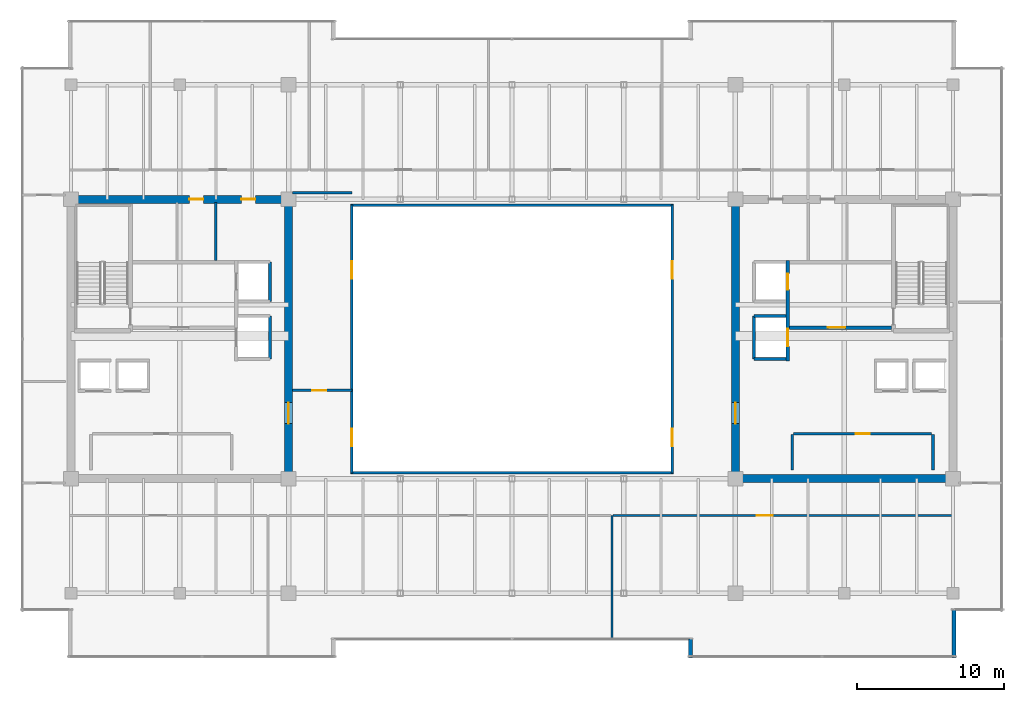
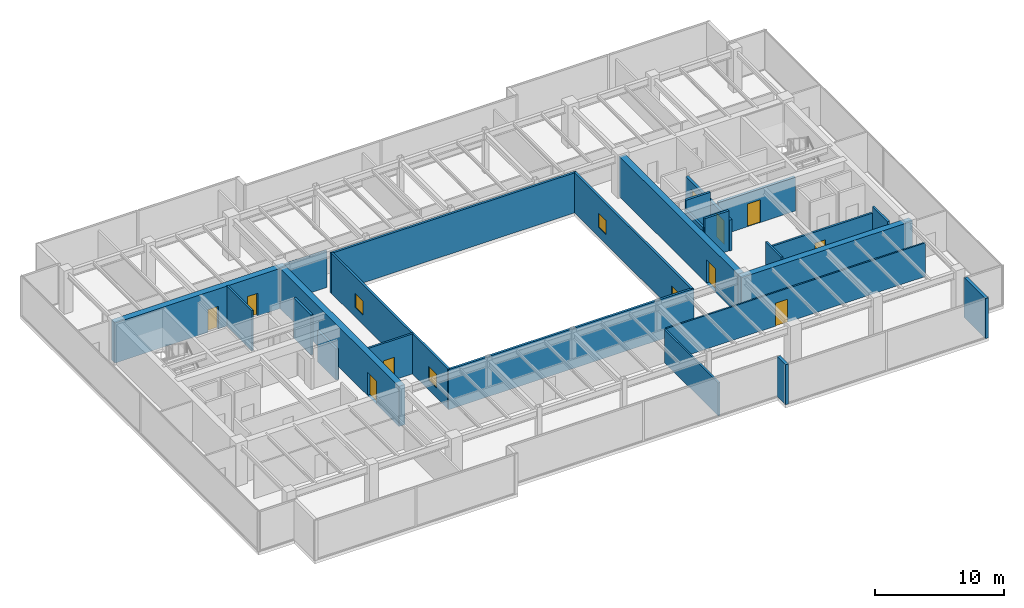
# One storey, part 29 of 33: 25 walls, 10 doors, 4 windows, 14 openings.
"""IFC4 building model written with IfcOpenShell, lengths in metres."""

from ifc_helpers import new_model, si_unit, direction, frame, frame_2d, origin, place, context, subcontext, project, spatial, rectangle, extrude, source, transform, mapped, material, layer, layer_set, type_object, type_shapes, element, fill, save


model = new_model("IFC4")

# Units and contexts
model_context = context("Model", 3, precision=1e-05, world=origin(), true_north=direction((0.0, 1.0)))
body_context = subcontext(model_context, "Body", "Model", "MODEL_VIEW")
ifc_project = project(units=[si_unit("LENGTHUNIT", "METRE"), si_unit("AREAUNIT", "SQUARE_METRE"), si_unit("VOLUMEUNIT", "CUBIC_METRE"), si_unit("PLANEANGLEUNIT", "RADIAN"), si_unit("MASSUNIT", "GRAM", prefix="KILO")], contexts=[model_context])

# Site, building, storey
site_placement = place(None, origin())
site = spatial("IfcSite", under=ifc_project, at=site_placement, CompositionType="ELEMENT")
building_placement = place(site_placement, origin())
building = spatial("IfcBuilding", under=site, at=building_placement, Name="Haelvirn Gate Laboratories", CompositionType="ELEMENT")
storey_placement = place(building_placement, frame((0.0, 0.0, 230.10009765625)))
storey = spatial("IfcBuildingStorey", under=building, at=storey_placement, Name="L55", CompositionType="ELEMENT", Elevation=230.10009765625)

# Walls
ifc_material_1 = material(Name="Thermally-broken bronze aluminium rainscreen & mineral wool", Category="aluminium")
ifc_layer_1 = layer(ifc_material_1, 0.280029296875, Name="EW-TERR-280")
ifc_layer_set_1 = layer_set([ifc_layer_1], Name="Thermally-broken bronze aluminium rainscreen & mineral wool")
wall_type_1 = type_object("IfcWallType", Name="EW-TERR-280", PredefinedType="STANDARD", material=ifc_layer_set_1)
wall_1_placement = place(storey_placement, frame((49.5400390625, 3.89306640625, 0.0), z_axis=(0.0, 0.0, 1.0), x_axis=(0.0, -1.0, 0.0)))
element("IfcWall", 1, at=wall_1_placement, inside=storey, type_object=wall_type_1, Name="L55 Atrium Recess Bronze Return Wall 03", PredefinedType="STANDARD", context=body_context, shape_type="SweptSolid", body=[
    extrude(rectangle(XDim=1.29296875, YDim=0.280029296875, at=frame_2d((0.646484375, 0.0))), origin(), (0.0, 0.0, 1.0), 3.7998046875),
])
wall_2_placement = place(storey_placement, frame((67.4599609375, 2.60009765625, 0.0), z_axis=(0.0, 0.0, 1.0), x_axis=(0.0, 1.0, 0.0)))
element("IfcWall", 2, at=wall_2_placement, inside=storey, type_object=wall_type_1, Name="L55 Atrium Recess Bronze Return Wall 05", PredefinedType="STANDARD", context=body_context, shape_type="SweptSolid", body=[
    extrude(rectangle(XDim=3.287841796875, YDim=0.280029296875, at=frame_2d((1.64404296875, 0.0))), origin(), (0.0, 0.0, 1.0), 3.7998046875),
])
ifc_material_2 = material(Name="Double-layer acoustic gypsum laboratory partition", Category="gypsum")
ifc_layer_2 = layer(ifc_material_2, 0.159912109375, Name="IW-ACOUST-160")
ifc_layer_set_2 = layer_set([ifc_layer_2], Name="Double-layer acoustic gypsum laboratory partition")
wall_type_2 = type_object("IfcWallType", Name="IW-ACOUST-160", PredefinedType="PARTITIONING", material=ifc_layer_set_2)
wall_3_placement = place(storey_placement, frame((44.199951171875, 3.909912109375, 0.0), z_axis=(0.0, 0.0, 1.0), x_axis=(0.0, 1.0, 0.0)))
element("IfcWall", 3, at=wall_3_placement, inside=storey, type_object=wall_type_2, Name="L55 Interior Wall IW-L55-SDIV-02", PredefinedType="PARTITIONING", context=body_context, shape_type="SweptSolid", body=[
    extrude(rectangle(XDim=8.380126953125, YDim=0.159912109375, at=frame_2d((4.18994140625, 0.0))), origin(), (0.0, 0.0, 1.0), 3.135009765625),
])
ifc_material_3 = material(Name="Fire-rated acoustic gypsum board partition", Category="gypsum")
ifc_layer_3 = layer(ifc_material_3, 0.175048828125, Name="IW-ACOUST-180")
ifc_layer_set_3 = layer_set([ifc_layer_3], Name="Fire-rated acoustic gypsum board partition")
wall_type_3 = type_object("IfcWallType", Name="IW-ACOUST-180", PredefinedType="PARTITIONING", material=ifc_layer_set_3)
wall_4_placement = place(storey_placement, frame((22.47509765625, 34.260009765625, 0.0), z_axis=(0.0, 0.0, 1.0), x_axis=(1.0, 0.0, 0.0)))
element("IfcWall", 4, at=wall_4_placement, inside=storey, type_object=wall_type_3, Name="L55 Interior Wall IW-L55-WPOD-N", PredefinedType="PARTITIONING", context=body_context, shape_type="SweptSolid", body=[
    extrude(rectangle(XDim=4.02490234375, YDim=0.175048828125, at=frame_2d((2.012451171875, 0.0))), origin(), (0.0, 0.0, 1.0), 3.48486328125),
])

# Wall, opening, door
wall_5_placement = place(storey_placement, frame((22.47509765625, 20.800048828125, 0.0), z_axis=(0.0, 0.0, 1.0), x_axis=(1.0, 0.0, 0.0)))
wall_5 = element("IfcWall", 5, at=wall_5_placement, inside=storey, type_object=wall_type_3, Name="L55 Interior Wall IW-L55-WPOD-S", PredefinedType="PARTITIONING", context=body_context, shape_type="SweptSolid", body=[
    extrude(rectangle(XDim=4.02490234375, YDim=0.175048828125, at=frame_2d((2.012451171875, 0.0))), origin(), (0.0, 0.0, 1.0), 3.7998046875),
])
opening_1_placement = place(wall_5_placement, frame((1.35009765625, 0.0, 0.0)))
opening_1 = element("IfcOpeningElement", 6, at=opening_1_placement, cuts=wall_5, Name="Opening FD4", PredefinedType="OPENING", context=body_context, shape_type="SweptSolid", body=[
    extrude(rectangle(XDim=0.949951171875, YDim=2.14990234375, at=frame_2d((0.47509765625, 1.074951171875))), frame((0.0, 0.09765625, 0.0), z_axis=(0.0, -1.0, 0.0), x_axis=(1.0, 0.0, 0.0)), (0.0, 0.0, 1.0), 0.195068359375),
])
ifc_material_4 = material(Name="Fire-rated steel SM355 core service door", Category="steel")
door_type_1 = type_object("IfcDoorType", Name="DR-FD-950", OperationType="NOTDEFINED", PredefinedType="DOOR", material=ifc_material_4)
shared_shape_1 = source(origin(), body_context, "Body", "SweptSolid", [
    extrude(rectangle(XDim=0.949951171875, YDim=2.14990234375, at=frame_2d((0.47509765625, 1.074951171875))), frame((0.0, 0.02490234375, 0.0), z_axis=(0.0, -1.0, 0.0), x_axis=(1.0, 0.0, 0.0)), (0.0, 0.0, 1.0), 0.050048828125),
])
type_shapes(door_type_1, [shared_shape_1])
door_1_placement = place(opening_1_placement, origin())
door_1 = element("IfcDoor", 7, at=door_1_placement, inside=storey, type_object=door_type_1, Name="L55 High-Zone Computational Suite Door", OperationType="SINGLE_SWING_RIGHT", OverallHeight=2.14990234375, OverallWidth=0.949951171875, PredefinedType="DOOR", context=body_context, shape_type="MappedRepresentation", body=[
    mapped(shared_shape_1, transform((0.0, 0.0, 0.0), scale=1.0)),
])
fill(opening_1, door_1)

# Wall, openings, windows
ifc_material_5 = material(Name="Tempered fire-rated borosilicate glass & anodised aluminium", Category="aluminium")
ifc_layer_4 = layer(ifc_material_5, 0.195068359375, Name="IW-GLAZ-200")
ifc_layer_set_4 = layer_set([ifc_layer_4], Name="Tempered fire-rated borosilicate glass & anodised aluminium")
wall_type_4 = type_object("IfcWallType", Name="IW-GLAZ-200", PredefinedType="SOLIDWALL", material=ifc_layer_set_4)
wall_6_placement = place(storey_placement, frame((26.5, 15.199951171875, 0.0), z_axis=(0.0, 0.0, 1.0), x_axis=(0.0, 1.0, 0.0)))
wall_6 = element("IfcWall", 8, at=wall_6_placement, inside=storey, type_object=wall_type_4, Name="L55 Interior Wall IW-L55-ATRIUM-W", PredefinedType="SOLIDWALL", context=body_context, shape_type="SweptSolid", body=[
    extrude(rectangle(XDim=18.199951171875, YDim=0.195068359375, at=frame_2d((9.10009765625, 0.0))), origin(), (0.0, 0.0, 1.0), 3.7998046875),
])
opening_2_placement = place(wall_6_placement, frame((1.800048828125, 0.0, 0.89990234375)))
opening_2 = element("IfcOpeningElement", 9, at=opening_2_placement, cuts=wall_6, Name="Opening W6", PredefinedType="OPENING", context=body_context, shape_type="SweptSolid", body=[
    extrude(rectangle(XDim=1.199951171875, YDim=1.35009765625, at=frame_2d((0.60009765625, 0.675048828125))), frame((0.0, 0.107421875, 0.0), z_axis=(0.0, -1.0, 0.0), x_axis=(1.0, 0.0, 0.0)), (0.0, 0.0, 1.0), 0.215087890625),
])
opening_3_placement = place(wall_6_placement, frame((13.199951171875, 0.0, 0.89990234375)))
opening_3 = element("IfcOpeningElement", 10, at=opening_3_placement, cuts=wall_6, Name="Opening W6", PredefinedType="OPENING", context=body_context, shape_type="SweptSolid", body=[
    extrude(rectangle(XDim=1.199951171875, YDim=1.35009765625, at=frame_2d((0.60009765625, 0.675048828125))), frame((0.0, 0.107421875, 0.0), z_axis=(0.0, -1.0, 0.0), x_axis=(1.0, 0.0, 0.0)), (0.0, 0.0, 1.0), 0.215087890625),
])
ifc_material_6 = material(Name="Fire-rated EI 120 borosilicate atrium vision glazing", Category="glass")
window_type = type_object("IfcWindowType", Name="WN-ATR-1200", PartitioningType="SINGLE_PANEL", PredefinedType="WINDOW", material=ifc_material_6)
shared_shape_2 = source(origin(), body_context, "Body", "SweptSolid", [
    extrude(rectangle(XDim=1.199951171875, YDim=1.35009765625, at=frame_2d((0.60009765625, 0.675048828125))), frame((0.0, 0.030029296875, 0.0), z_axis=(0.0, -1.0, 0.0), x_axis=(1.0, 0.0, 0.0)), (0.0, 0.0, 1.0), 0.06005859375),
])
type_shapes(window_type, [shared_shape_2])
window_1_placement = place(opening_2_placement, origin())
window_1 = element("IfcWindow", 11, at=window_1_placement, inside=storey, type_object=window_type, Name="L55 Atrium Observation Window 1", OverallHeight=1.35009765625, OverallWidth=1.199951171875, PartitioningType="SINGLE_PANEL", PredefinedType="WINDOW", context=body_context, shape_type="MappedRepresentation", body=[
    mapped(shared_shape_2, transform((0.0, 0.0, 0.0), scale=1.0)),
])
fill(opening_2, window_1)
window_2_placement = place(opening_3_placement, origin())
window_2 = element("IfcWindow", 12, at=window_2_placement, inside=storey, type_object=window_type, Name="L55 Atrium Observation Window 2", OverallHeight=1.35009765625, OverallWidth=1.199951171875, PartitioningType="SINGLE_PANEL", PredefinedType="WINDOW", context=body_context, shape_type="MappedRepresentation", body=[
    mapped(shared_shape_2, transform((0.0, 0.0, 0.0), scale=1.0)),
])
fill(opening_3, window_2)

wall_7_placement = place(storey_placement, frame((48.300048828125, 15.199951171875, 0.0), z_axis=(0.0, 0.0, 1.0), x_axis=(0.0, 1.0, 0.0)))
wall_7 = element("IfcWall", 13, at=wall_7_placement, inside=storey, type_object=wall_type_4, Name="L55 Interior Wall IW-L55-ATRIUM-E", PredefinedType="SOLIDWALL", context=body_context, shape_type="SweptSolid", body=[
    extrude(rectangle(XDim=18.199951171875, YDim=0.195068359375, at=frame_2d((9.10009765625, 0.0))), origin(), (0.0, 0.0, 1.0), 3.7998046875),
])
opening_4_placement = place(wall_7_placement, frame((1.800048828125, 0.0, 0.89990234375)))
opening_4 = element("IfcOpeningElement", 14, at=opening_4_placement, cuts=wall_7, Name="Opening W6", PredefinedType="OPENING", context=body_context, shape_type="SweptSolid", body=[
    extrude(rectangle(XDim=1.199951171875, YDim=1.35009765625, at=frame_2d((0.60009765625, 0.675048828125))), frame((0.0, 0.107421875, 0.0), z_axis=(0.0, -1.0, 0.0), x_axis=(1.0, 0.0, 0.0)), (0.0, 0.0, 1.0), 0.215087890625),
])
opening_5_placement = place(wall_7_placement, frame((13.199951171875, 0.0, 0.89990234375)))
opening_5 = element("IfcOpeningElement", 15, at=opening_5_placement, cuts=wall_7, Name="Opening W6", PredefinedType="OPENING", context=body_context, shape_type="SweptSolid", body=[
    extrude(rectangle(XDim=1.199951171875, YDim=1.35009765625, at=frame_2d((0.60009765625, 0.675048828125))), frame((0.0, 0.107421875, 0.0), z_axis=(0.0, -1.0, 0.0), x_axis=(1.0, 0.0, 0.0)), (0.0, 0.0, 1.0), 0.215087890625),
])
window_3_placement = place(opening_4_placement, origin())
window_3 = element("IfcWindow", 16, at=window_3_placement, inside=storey, type_object=window_type, Name="L55 Atrium Observation Window 1", OverallHeight=1.35009765625, OverallWidth=1.199951171875, PartitioningType="SINGLE_PANEL", PredefinedType="WINDOW", context=body_context, shape_type="MappedRepresentation", body=[
    mapped(shared_shape_2, transform((0.0, 0.0, 0.0), scale=1.0)),
])
fill(opening_4, window_3)
window_4_placement = place(opening_5_placement, origin())
window_4 = element("IfcWindow", 17, at=window_4_placement, inside=storey, type_object=window_type, Name="L55 Atrium Observation Window 2", OverallHeight=1.35009765625, OverallWidth=1.199951171875, PartitioningType="SINGLE_PANEL", PredefinedType="WINDOW", context=body_context, shape_type="MappedRepresentation", body=[
    mapped(shared_shape_2, transform((0.0, 0.0, 0.0), scale=1.0)),
])
fill(opening_5, window_4)

# Walls
for number, where, z_axis, x_axis, name in (
    (18, (26.39990234375, 15.199951171875, 0.0), (0.0, 0.0, 1.0), (1.0, 0.0, 0.0), "L55 Interior Wall IW-L55-ATRIUM-S"),
    (19, (26.39990234375, 33.39990234375, 0.0), (0.0, 0.0, 1.0), (1.0, 0.0, 0.0), "L55 Interior Wall IW-L55-ATRIUM-N"),
):
    element("IfcWall", number, at=place(storey_placement, frame(where, z_axis=z_axis, x_axis=x_axis)), inside=storey, type_object=wall_type_4, Name=name, PredefinedType="SOLIDWALL", context=body_context, shape_type="SweptSolid", body=[
        extrude(rectangle(XDim=22.0, YDim=0.195068359375, at=frame_2d((11.0, 0.0))), origin(), (0.0, 0.0, 1.0), 3.7998046875),
    ])

# Wall, opening, door
ifc_material_7 = material(Name="Acoustic mineral-wool gypsum board partition", Category="gypsum")
ifc_layer_5 = layer(ifc_material_7, 0.139892578125, Name="IW-PART-140")
ifc_layer_set_5 = layer_set([ifc_layer_5], Name="Acoustic mineral-wool gypsum board partition")
wall_type_5 = type_object("IfcWallType", Name="IW-PART-140", PredefinedType="PARTITIONING", material=ifc_layer_set_5)
wall_8_placement = place(storey_placement, frame((44.280029296875, 12.2900390625, 0.0), z_axis=(0.0, 0.0, 1.0), x_axis=(1.0, 0.0, 0.0)))
wall_8 = element("IfcWall", 20, at=wall_8_placement, inside=storey, type_object=wall_type_5, Name="L55 Interior Wall IW-L55-SCORR-03", PredefinedType="PARTITIONING", context=body_context, shape_type="SweptSolid", body=[
    extrude(rectangle(XDim=23.2099609375, YDim=0.139892578125, at=frame_2d((11.60498046875, 0.0))), origin(), (0.0, 0.0, 1.0), 3.197021484375),
])
opening_6_placement = place(wall_8_placement, frame((9.7705078125, 0.0, 0.0)))
opening_6 = element("IfcOpeningElement", 21, at=opening_6_placement, cuts=wall_8, Name="Opening D1", PredefinedType="OPENING", context=body_context, shape_type="SweptSolid", body=[
    extrude(rectangle(XDim=1.10009765625, YDim=2.179931640625, at=frame_2d((0.550048828125, 1.08984375))), frame((0.0, 0.080078125, 0.0), z_axis=(0.0, -1.0, 0.0), x_axis=(1.0, 0.0, 0.0)), (0.0, 0.0, 1.0), 0.159912109375),
])
ifc_material_8 = material(Name="Vision-panel acoustic solid-core timber lab door", Category="wood")
door_type_2 = type_object("IfcDoorType", Name="DR-LAB-1100", OperationType="NOTDEFINED", PredefinedType="DOOR", material=ifc_material_8)
shared_shape_3 = source(origin(), body_context, "Body", "SweptSolid", [
    extrude(rectangle(XDim=1.10009765625, YDim=2.179931640625, at=frame_2d((0.550048828125, 1.08984375))), frame((0.0, 0.02490234375, 0.0), z_axis=(0.0, -1.0, 0.0), x_axis=(1.0, 0.0, 0.0)), (0.0, 0.0, 1.0), 0.050048828125),
])
type_shapes(door_type_2, [shared_shape_3])
door_2_placement = place(opening_6_placement, origin())
door_2 = element("IfcDoor", 22, at=door_2_placement, inside=storey, type_object=door_type_2, Name="L55 Protocol Briefing Training Room Door S3", OperationType="SINGLE_SWING_RIGHT", OverallHeight=2.179931640625, OverallWidth=1.10009765625, PredefinedType="DOOR", context=body_context, shape_type="MappedRepresentation", body=[
    mapped(shared_shape_3, transform((0.0, 0.0, 0.0), scale=1.0)),
])
fill(opening_6, door_2)

# Wall
ifc_material_9 = material(Name="Cement-board restroom plumbing chase wall", Category="gypsum")
ifc_layer_6 = layer(ifc_material_9, 0.155029296875, Name="IW-PLUMB-160")
ifc_layer_set_6 = layer_set([ifc_layer_6], Name="Cement-board restroom plumbing chase wall")
wall_type_6 = type_object("IfcWallType", Name="IW-PLUMB-160", PredefinedType="PLUMBINGWALL", material=ifc_layer_set_6)
wall_9_placement = place(storey_placement, frame((17.239990234375, 29.64990234375, 0.0), z_axis=(0.0, 0.0, 1.0), x_axis=(0.0, 1.0, 0.0)))
element("IfcWall", 23, at=wall_9_placement, inside=storey, type_object=wall_type_6, Name="L55 Interior Wall IW-L55-W-CDIV-1", PredefinedType="PLUMBINGWALL", context=body_context, shape_type="SweptSolid", body=[
    extrude(rectangle(XDim=3.93017578125, YDim=0.155029296875, at=frame_2d((1.965087890625, 0.0))), origin(), (0.0, 0.0, 1.0), 3.7998046875),
])

# Wall, opening, door
ifc_material_10 = material(Name="Concrete C40/50", Category="concrete")
ifc_layer_7 = layer(ifc_material_10, 0.179931640625, Name="IW-SHAFT-180")
ifc_layer_set_7 = layer_set([ifc_layer_7], Name="Concrete C40/50")
wall_type_7 = type_object("IfcWallType", Name="IW-SHAFT-180", PredefinedType="SOLIDWALL", material=ifc_layer_set_7)
wall_10_placement = place(storey_placement, frame((56.550048828125, 17.85009765625, 0.0), z_axis=(0.0, 0.0, 1.0), x_axis=(1.0, 0.0, 0.0)))
wall_10 = element("IfcWall", 24, at=wall_10_placement, inside=storey, type_object=wall_type_7, Name="L55 Interior Wall IW-L55-E-FREED-HN-1", PredefinedType="SOLIDWALL", context=body_context, shape_type="SweptSolid", body=[
    extrude(rectangle(XDim=9.39990234375, YDim=0.179931640625, at=frame_2d((4.699951171875, 0.0))), origin(), (0.0, 0.0, 1.0), 3.197021484375),
])
opening_7_placement = place(wall_10_placement, frame((4.22509765625, 0.0, 0.0)))
opening_7 = element("IfcOpeningElement", 25, at=opening_7_placement, cuts=wall_10, Name="Opening FD4", PredefinedType="OPENING", context=body_context, shape_type="SweptSolid", body=[
    extrude(rectangle(XDim=0.949951171875, YDim=2.14990234375, at=frame_2d((0.47509765625, 1.074951171875))), frame((0.0, 0.10009765625, 0.0), z_axis=(0.0, -1.0, 0.0), x_axis=(1.0, 0.0, 0.0)), (0.0, 0.0, 1.0), 0.199951171875),
])
door_3_placement = place(opening_7_placement, origin())
door_3 = element("IfcDoor", 26, at=door_3_placement, inside=storey, type_object=door_type_1, Name="L55 Core Metrology & Calibration Laboratory Door", OperationType="SINGLE_SWING_LEFT", OverallHeight=2.14990234375, OverallWidth=0.949951171875, PredefinedType="DOOR", context=body_context, shape_type="MappedRepresentation", body=[
    mapped(shared_shape_1, transform((0.0, 0.0, 0.0), scale=1.0)),
])
fill(opening_7, door_3)

# Walls
for number, where, z_axis, x_axis, name in (
    (27, (56.4599609375, 15.39990234375, 0.0), (0.0, 0.0, 1.0), (0.0, 1.0, 0.0), "L55 Interior Wall IW-L55-E-FREED-HE-1"),
    (28, (66.0400390625, 15.39990234375, 0.0), (0.0, 0.0, 1.0), (0.0, 1.0, 0.0), "L55 Interior Wall IW-L55-E-FREED-HW-1"),
):
    element("IfcWall", number, at=place(storey_placement, frame(where, z_axis=z_axis, x_axis=x_axis)), inside=storey, type_object=wall_type_7, Name=name, PredefinedType="SOLIDWALL", context=body_context, shape_type="SweptSolid", body=[
        extrude(rectangle(XDim=2.400146484375, YDim=0.179931640625, at=frame_2d((1.2001953125, 0.0))), origin(), (0.0, 0.0, 1.0), 3.7998046875),
    ])
ifc_layer_8 = layer(ifc_material_10, 0.199951171875, Name="IW-SHAFT-200")
ifc_layer_set_8 = layer_set([ifc_layer_8], Name="Concrete C40/50")
wall_type_8 = type_object("IfcWallType", Name="IW-SHAFT-200", PredefinedType="SOLIDWALL", material=ifc_layer_set_8)
wall_11_placement = place(storey_placement, frame((20.949951171875, 26.85009765625, 0.0), z_axis=(0.0, 0.0, 1.0), x_axis=(0.0, 1.0, 0.0)))
element("IfcWall", 29, at=wall_11_placement, inside=storey, type_object=wall_type_8, Name="L55 Interior Wall IW-L55-FL1-BK", PredefinedType="SOLIDWALL", context=body_context, shape_type="SweptSolid", body=[
    extrude(rectangle(XDim=2.699951171875, YDim=0.199951171875, at=frame_2d((1.35009765625, 0.0))), origin(), (0.0, 0.0, 1.0), 3.7998046875),
])
for number, where, z_axis, x_axis, name in (
    (30, (20.949951171875, 22.949951171875, 0.0), (0.0, 0.0, 1.0), (0.0, 1.0, 0.0), "L55 Interior Wall IW-L55-SL1-BK"),
    (31, (53.85009765625, 22.949951171875, 0.0), (0.0, 0.0, 1.0), (0.0, 1.0, 0.0), "L55 Interior Wall IW-L55-SL2-BK"),
):
    element("IfcWall", number, at=place(storey_placement, frame(where, z_axis=z_axis, x_axis=x_axis)), inside=storey, type_object=wall_type_8, Name=name, PredefinedType="SOLIDWALL", context=body_context, shape_type="SweptSolid", body=[
        extrude(rectangle(XDim=2.900146484375, YDim=0.199951171875, at=frame_2d((1.4501953125, 0.0))), origin(), (0.0, 0.0, 1.0), 2.934814453125),
    ])
for number, where, z_axis, x_axis, name in (
    (32, (53.85009765625, 25.85009765625, 0.0), (0.0, 0.0, 1.0), (1.0, 0.0, 0.0), "L55 Interior Wall IW-L55-SL2-N"),
    (33, (53.85009765625, 22.949951171875, 0.0), (0.0, 0.0, 1.0), (1.0, 0.0, 0.0), "L55 Interior Wall IW-L55-SL2-S"),
):
    element("IfcWall", number, at=place(storey_placement, frame(where, z_axis=z_axis, x_axis=x_axis)), inside=storey, type_object=wall_type_8, Name=name, PredefinedType="SOLIDWALL", context=body_context, shape_type="SweptSolid", body=[
        extrude(rectangle(XDim=2.18994140625, YDim=0.199951171875, at=frame_2d((1.094970703125, 0.0))), origin(), (0.0, 0.0, 1.0), 3.7998046875),
    ])

# Wall, opening, door
ifc_layer_9 = layer(ifc_material_10, 0.239990234375, Name="IW-SHAFT-240")
ifc_layer_set_9 = layer_set([ifc_layer_9], Name="Concrete C40/50")
wall_type_9 = type_object("IfcWallType", Name="IW-SHAFT-240", PredefinedType="SOLIDWALL", material=ifc_layer_set_9)
wall_12_placement = place(storey_placement, frame((56.280029296875, 25.080078125, 0.0), z_axis=(0.0, 0.0, 1.0), x_axis=(1.0, 0.0, 0.0)))
wall_12 = element("IfcWall", 34, at=wall_12_placement, inside=storey, type_object=wall_type_9, Name="L55 Interior Wall IW-L55-E-FF-S", PredefinedType="SOLIDWALL", context=body_context, shape_type="SweptSolid", body=[
    extrude(rectangle(XDim=6.919921875, YDim=0.239990234375, at=frame_2d((3.4599609375, 0.0))), origin(), (0.0, 0.0, 1.0), 3.197021484375),
])
opening_8_placement = place(wall_12_placement, frame((2.60009765625, 0.0, 0.0)))
opening_8 = element("IfcOpeningElement", 35, at=opening_8_placement, cuts=wall_12, Name="Opening FD2", PredefinedType="OPENING", context=body_context, shape_type="SweptSolid", body=[
    extrude(rectangle(XDim=1.199951171875, YDim=2.159912109375, at=frame_2d((0.60009765625, 1.080078125))), frame((0.0, 0.1298828125, 0.0), z_axis=(0.0, -1.0, 0.0), x_axis=(1.0, 0.0, 0.0)), (0.0, 0.0, 1.0), 0.260009765625),
])
ifc_material_11 = material(Name="Fire-rated steel SM355 compartment door", Category="steel")
door_type_3 = type_object("IfcDoorType", Name="DR-FD-1200", OperationType="NOTDEFINED", PredefinedType="DOOR", material=ifc_material_11)
shared_shape_4 = source(origin(), body_context, "Body", "SweptSolid", [
    extrude(rectangle(XDim=1.199951171875, YDim=2.159912109375, at=frame_2d((0.60009765625, 1.080078125))), frame((0.0, 0.02490234375, 0.0), z_axis=(0.0, -1.0, 0.0), x_axis=(1.0, 0.0, 0.0)), (0.0, 0.0, 1.0), 0.050048828125),
])
type_shapes(door_type_3, [shared_shape_4])
door_4_placement = place(opening_8_placement, origin())
door_4 = element("IfcDoor", 36, at=door_4_placement, inside=storey, type_object=door_type_3, Name="L55 East Firefighting Lobby Door", OperationType="SINGLE_SWING_LEFT", OverallHeight=2.159912109375, OverallWidth=1.199951171875, PredefinedType="DOOR", context=body_context, shape_type="MappedRepresentation", body=[
    mapped(shared_shape_4, transform((0.0, 0.0, 0.0), scale=1.0)),
])
fill(opening_8, door_4)

# Wall, openings, doors
wall_13_placement = place(storey_placement, frame((56.159912109375, 22.800048828125, 0.0), z_axis=(0.0, 0.0, 1.0), x_axis=(0.0, 1.0, 0.0)))
wall_13 = element("IfcWall", 37, at=wall_13_placement, inside=storey, type_object=wall_type_9, Name="L55 Interior Wall IW-L55-E-FF-E", PredefinedType="SOLIDWALL", context=body_context, shape_type="SweptSolid", body=[
    extrude(rectangle(XDim=6.849853515625, YDim=0.239990234375, at=frame_2d((3.4248046875, 0.0))), origin(), (0.0, 0.0, 1.0), 2.934814453125),
])
opening_9_placement = place(wall_13_placement, frame((4.85009765625, 0.0, 0.0)))
opening_9 = element("IfcOpeningElement", 38, at=opening_9_placement, cuts=wall_13, Name="Opening LD2", PredefinedType="OPENING", context=body_context, shape_type="SweptSolid", body=[
    extrude(rectangle(XDim=1.10009765625, YDim=2.219970703125, at=frame_2d((0.550048828125, 1.10986328125))), frame((0.0, 0.1298828125, 0.0), z_axis=(0.0, -1.0, 0.0), x_axis=(1.0, 0.0, 0.0)), (0.0, 0.0, 1.0), 0.260009765625),
])
opening_10_placement = place(wall_13_placement, frame((1.0, 0.0, 0.0)))
opening_10 = element("IfcOpeningElement", 39, at=opening_10_placement, cuts=wall_13, Name="Opening LD1", PredefinedType="OPENING", context=body_context, shape_type="SweptSolid", body=[
    extrude(rectangle(XDim=1.199951171875, YDim=2.219970703125, at=frame_2d((0.60009765625, 1.10986328125))), frame((0.0, 0.1298828125, 0.0), z_axis=(0.0, -1.0, 0.0), x_axis=(1.0, 0.0, 0.0)), (0.0, 0.0, 1.0), 0.260009765625),
])
ifc_material_12 = material(Name="Bronze stainless 316L sliding lift landing door")
door_type_4 = type_object("IfcDoorType", Name="DR-LD-1100", OperationType="NOTDEFINED", PredefinedType="USERDEFINED", material=ifc_material_12)
shared_shape_5 = source(origin(), body_context, "Body", "SweptSolid", [
    extrude(rectangle(XDim=1.10009765625, YDim=2.219970703125, at=frame_2d((0.550048828125, 1.10986328125))), frame((0.0, 0.02490234375, 0.0), z_axis=(0.0, -1.0, 0.0), x_axis=(1.0, 0.0, 0.0)), (0.0, 0.0, 1.0), 0.050048828125),
])
type_shapes(door_type_4, [shared_shape_5])
door_5_placement = place(opening_9_placement, origin())
door_5 = element("IfcDoor", 40, at=door_5_placement, inside=storey, type_object=door_type_4, Name="L55 Firefighting Lift FL2 Landing Door", ObjectType="LANDING_DOOR", OperationType="SLIDING_TO_RIGHT", OverallHeight=2.219970703125, OverallWidth=1.10009765625, PredefinedType="USERDEFINED", context=body_context, shape_type="MappedRepresentation", body=[
    mapped(shared_shape_5, transform((0.0, 0.0, 0.0), scale=1.0)),
])
fill(opening_9, door_5)
ifc_material_13 = material(Name="Stainless steel 316L sliding goods landing door", Category="steel")
door_type_5 = type_object("IfcDoorType", Name="DR-LD-1200", OperationType="NOTDEFINED", PredefinedType="USERDEFINED", material=ifc_material_13)
shared_shape_6 = source(origin(), body_context, "Body", "SweptSolid", [
    extrude(rectangle(XDim=1.199951171875, YDim=2.219970703125, at=frame_2d((0.60009765625, 1.10986328125))), frame((0.0, 0.02490234375, 0.0), z_axis=(0.0, -1.0, 0.0), x_axis=(1.0, 0.0, 0.0)), (0.0, 0.0, 1.0), 0.050048828125),
])
type_shapes(door_type_5, [shared_shape_6])
door_6_placement = place(opening_10_placement, origin())
door_6 = element("IfcDoor", 41, at=door_6_placement, inside=storey, type_object=door_type_5, Name="L55 Service Lift SL2 Landing Door", ObjectType="LANDING_DOOR", OperationType="SLIDING_TO_LEFT", OverallHeight=2.219970703125, OverallWidth=1.199951171875, PredefinedType="USERDEFINED", context=body_context, shape_type="MappedRepresentation", body=[
    mapped(shared_shape_6, transform((0.0, 0.0, 0.0), scale=1.0)),
])
fill(opening_10, door_6)

ifc_material_14 = material(Name="Concrete C50/60", Category="concrete")
ifc_layer_10 = layer(ifc_material_14, 0.550048828125, Name="SW-CORE-550")
ifc_layer_set_10 = layer_set([ifc_layer_10], Name="Concrete C50/60")
wall_type_10 = type_object("IfcWallType", Name="SW-CORE-550", PredefinedType="SHEAR", material=ifc_layer_set_10)
wall_14_placement = place(storey_placement, frame((7.125, 33.800048828125, 0.0), z_axis=(0.0, 0.0, 1.0), x_axis=(1.0, 0.0, 0.0)))
wall_14 = element("IfcWall", 42, at=wall_14_placement, inside=storey, type_object=wall_type_10, Name="L55 W Core Shear Wall N", PredefinedType="SHEAR", context=body_context, shape_type="SweptSolid", body=[
    extrude(rectangle(XDim=15.35009765625, YDim=0.550048828125, at=frame_2d((7.675048828125, 0.0))), origin(), (0.0, 0.0, 1.0), 3.7998046875),
])
opening_11_placement = place(wall_14_placement, frame((8.324951171875, 0.0, 0.0)))
opening_11 = element("IfcOpeningElement", 43, at=opening_11_placement, cuts=wall_14, Name="Opening FD4", PredefinedType="OPENING", context=body_context, shape_type="SweptSolid", body=[
    extrude(rectangle(XDim=0.949951171875, YDim=2.14990234375, at=frame_2d((0.47509765625, 1.074951171875))), frame((0.0, 0.28515625, 0.0), z_axis=(0.0, -1.0, 0.0), x_axis=(1.0, 0.0, 0.0)), (0.0, 0.0, 1.0), 0.570068359375),
])
opening_12_placement = place(wall_14_placement, frame((11.864990234375, 0.0, 0.0)))
opening_12 = element("IfcOpeningElement", 44, at=opening_12_placement, cuts=wall_14, Name="Opening FD4", PredefinedType="OPENING", context=body_context, shape_type="SweptSolid", body=[
    extrude(rectangle(XDim=0.949951171875, YDim=2.14990234375, at=frame_2d((0.47509765625, 1.074951171875))), frame((0.0, 0.28515625, 0.0), z_axis=(0.0, -1.0, 0.0), x_axis=(1.0, 0.0, 0.0)), (0.0, 0.0, 1.0), 0.570068359375),
])
door_7_placement = place(opening_11_placement, origin())
door_7 = element("IfcDoor", 45, at=door_7_placement, inside=storey, type_object=door_type_1, Name="L55 Accessible Restroom Fire Door", OperationType="SINGLE_SWING_RIGHT", OverallHeight=2.14990234375, OverallWidth=0.949951171875, PredefinedType="DOOR", context=body_context, shape_type="MappedRepresentation", body=[
    mapped(shared_shape_1, transform((0.0, 0.0, 0.0), scale=1.0)),
])
fill(opening_11, door_7)
door_8_placement = place(opening_12_placement, origin())
door_8 = element("IfcDoor", 46, at=door_8_placement, inside=storey, type_object=door_type_1, Name="L55 Staff Restroom Fire Door", OperationType="SINGLE_SWING_LEFT", OverallHeight=2.14990234375, OverallWidth=0.949951171875, PredefinedType="DOOR", context=body_context, shape_type="MappedRepresentation", body=[
    mapped(shared_shape_1, transform((0.0, 0.0, 0.0), scale=1.0)),
])
fill(opening_12, door_8)

# Wall, opening, door
wall_15_placement = place(storey_placement, frame((22.199951171875, 15.074951171875, 0.0), z_axis=(0.0, 0.0, 1.0), x_axis=(0.0, 1.0, 0.0)))
wall_15 = element("IfcWall", 47, at=wall_15_placement, inside=storey, type_object=wall_type_10, Name="L55 W Core Shear Wall E", PredefinedType="SHEAR", context=body_context, shape_type="SweptSolid", body=[
    extrude(rectangle(XDim=18.449951171875, YDim=0.550048828125, at=frame_2d((9.22509765625, 0.0))), origin(), (0.0, 0.0, 1.0), 3.7998046875),
])
opening_13_placement = place(wall_15_placement, frame((3.47509765625, 0.0, 0.0)))
opening_13 = element("IfcOpeningElement", 48, at=opening_13_placement, cuts=wall_15, Name="Opening FD1", PredefinedType="OPENING", context=body_context, shape_type="SweptSolid", body=[
    extrude(rectangle(XDim=1.419921875, YDim=2.199951171875, at=frame_2d((0.7099609375, 1.10009765625))), frame((0.0, 0.28515625, 0.0), z_axis=(0.0, -1.0, 0.0), x_axis=(1.0, 0.0, 0.0)), (0.0, 0.0, 1.0), 0.570068359375),
])
ifc_material_15 = material(Name="Fire-rated double steel SM355 lobby door", Category="steel")
door_type_6 = type_object("IfcDoorType", Name="DR-FD-1400", OperationType="NOTDEFINED", PredefinedType="DOOR", material=ifc_material_15)
shared_shape_7 = source(origin(), body_context, "Body", "SweptSolid", [
    extrude(rectangle(XDim=1.419921875, YDim=2.199951171875, at=frame_2d((0.7099609375, 1.10009765625))), frame((0.0, 0.02490234375, 0.0), z_axis=(0.0, -1.0, 0.0), x_axis=(1.0, 0.0, 0.0)), (0.0, 0.0, 1.0), 0.050048828125),
])
type_shapes(door_type_6, [shared_shape_7])
door_9_placement = place(opening_13_placement, origin())
door_9 = element("IfcDoor", 49, at=door_9_placement, inside=storey, type_object=door_type_6, Name="L55 West Core Lift Lobby Fire Door", OperationType="DOUBLE_DOOR_SINGLE_SWING", OverallHeight=2.199951171875, OverallWidth=1.419921875, PredefinedType="DOOR", context=body_context, shape_type="MappedRepresentation", body=[
    mapped(shared_shape_7, transform((0.0, 0.0, 0.0), scale=1.0)),
])
fill(opening_13, door_9)

# Wall
wall_16_placement = place(storey_placement, frame((52.324951171875, 14.800048828125, 0.0), z_axis=(0.0, 0.0, 1.0), x_axis=(1.0, 0.0, 0.0)))
element("IfcWall", 50, at=wall_16_placement, inside=storey, type_object=wall_type_10, Name="L55 E Core Shear Wall S", PredefinedType="SHEAR", context=body_context, shape_type="SweptSolid", body=[
    extrude(rectangle(XDim=15.35009765625, YDim=0.550048828125, at=frame_2d((7.675048828125, 0.0))), origin(), (0.0, 0.0, 1.0), 3.7998046875),
])

# Wall, opening, door
wall_17_placement = place(storey_placement, frame((52.60009765625, 15.074951171875, 0.0), z_axis=(0.0, 0.0, 1.0), x_axis=(0.0, 1.0, 0.0)))
wall_17 = element("IfcWall", 51, at=wall_17_placement, inside=storey, type_object=wall_type_10, Name="L55 E Core Shear Wall W", PredefinedType="SHEAR", context=body_context, shape_type="SweptSolid", body=[
    extrude(rectangle(XDim=18.449951171875, YDim=0.550048828125, at=frame_2d((9.22509765625, 0.0))), origin(), (0.0, 0.0, 1.0), 3.7998046875),
])
opening_14_placement = place(wall_17_placement, frame((3.47509765625, 0.0, 0.0)))
opening_14 = element("IfcOpeningElement", 52, at=opening_14_placement, cuts=wall_17, Name="Opening FD1", PredefinedType="OPENING", context=body_context, shape_type="SweptSolid", body=[
    extrude(rectangle(XDim=1.419921875, YDim=2.199951171875, at=frame_2d((0.7099609375, 1.10009765625))), frame((0.0, 0.28515625, 0.0), z_axis=(0.0, -1.0, 0.0), x_axis=(1.0, 0.0, 0.0)), (0.0, 0.0, 1.0), 0.570068359375),
])
door_10_placement = place(opening_14_placement, origin())
door_10 = element("IfcDoor", 53, at=door_10_placement, inside=storey, type_object=door_type_6, Name="L55 East Core Lift Lobby Fire Door", OperationType="DOUBLE_DOOR_SINGLE_SWING", OverallHeight=2.199951171875, OverallWidth=1.419921875, PredefinedType="DOOR", context=body_context, shape_type="MappedRepresentation", body=[
    mapped(shared_shape_7, transform((0.0, 0.0, 0.0), scale=1.0)),
])
fill(opening_14, door_10)

save(model, "model.ifc")
